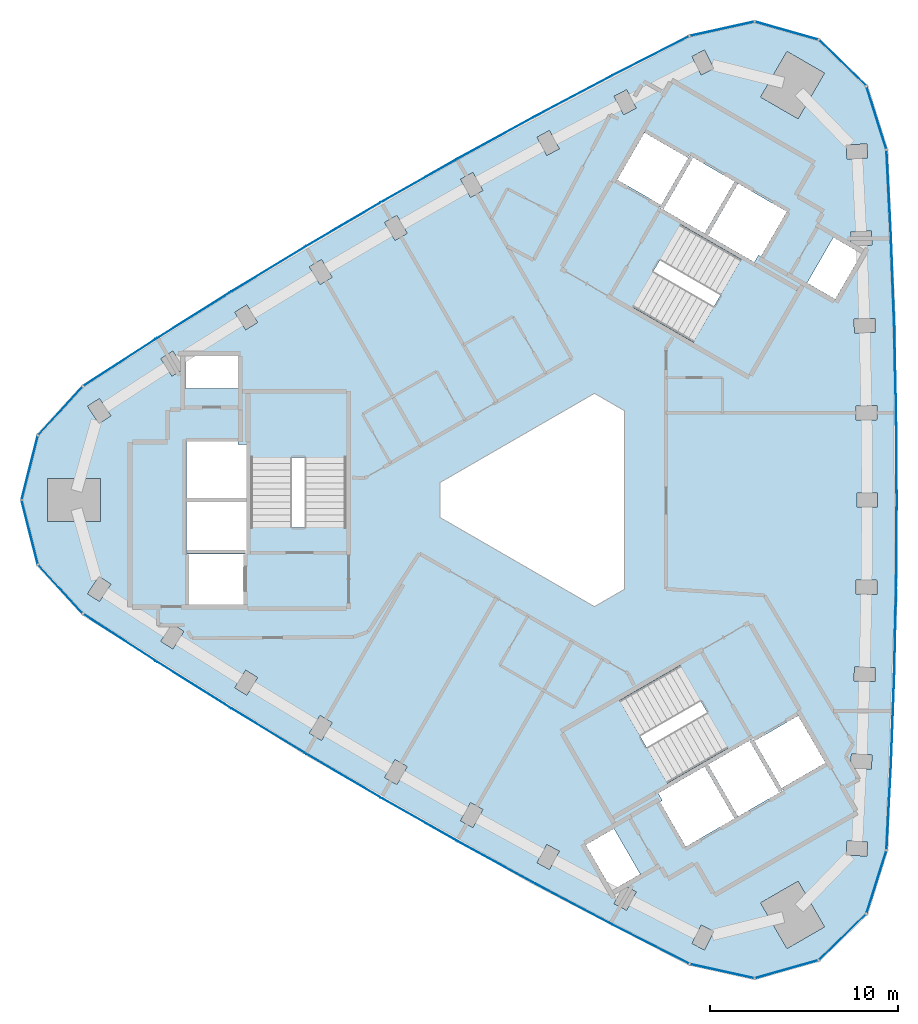
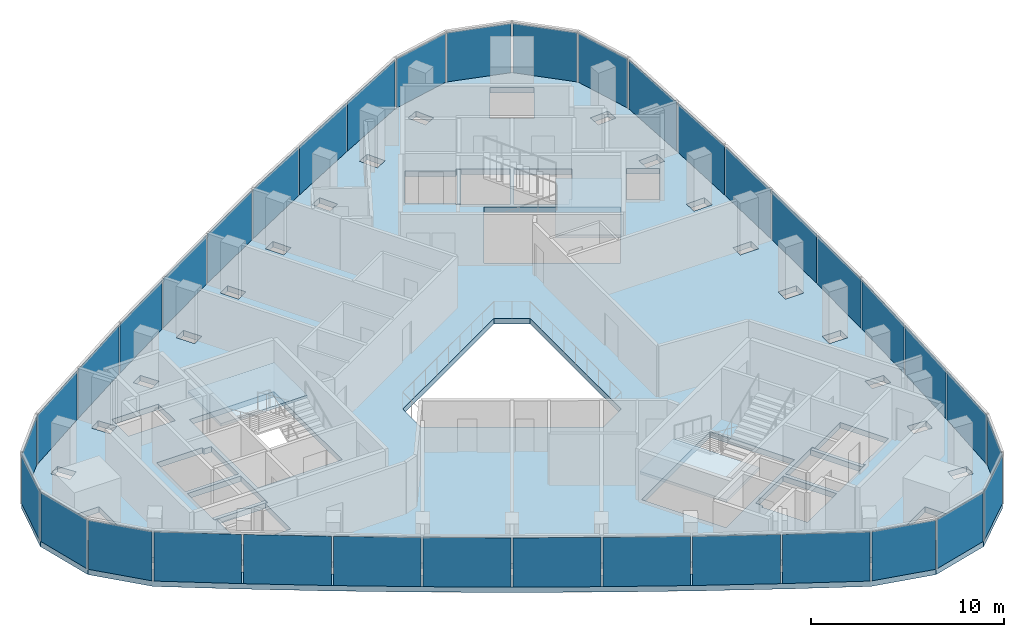
# One storey, part 6 of 11: 36 plates, 4 slabs, 6 elements without a shape of their own.
"""IFC4 building model written with IfcOpenShell, lengths in metres."""

from ifc_helpers import new_model, si_unit, direction, frame, origin, origin_2d, place, context, subcontext, project, spatial, polyline, rectangle, outline, extrude, material, layer, layer_set, type_object, element, aggregate, save


model = new_model("IFC4")

# Units and contexts
model_context = context("Model", 3, precision=1e-05, world=origin(), true_north=direction((0.0, 1.0)))
body_context = subcontext(model_context, "Body", "Model", "MODEL_VIEW")
ifc_project = project(units=[si_unit("LENGTHUNIT", "METRE"), si_unit("AREAUNIT", "SQUARE_METRE"), si_unit("VOLUMEUNIT", "CUBIC_METRE"), si_unit("PLANEANGLEUNIT", "RADIAN"), si_unit("MASSUNIT", "GRAM", prefix="KILO")], contexts=[model_context])

# Site, building, storey
site_placement = place(None, origin())
site = spatial("IfcSite", under=ifc_project, at=site_placement, CompositionType="ELEMENT")
building_placement = place(site_placement, origin())
building = spatial("IfcBuilding", under=site, at=building_placement, Name="Tamra Quay Hotel Tower", CompositionType="ELEMENT")
storey_placement = place(building_placement, frame((0.0, 0.0, 225.0)))
storey = spatial("IfcBuildingStorey", under=building, at=storey_placement, Name="L56", CompositionType="ELEMENT", Elevation=225.0)

# Stair, slab
ifc_material_1 = material(Name="Exit stair 2200 24 risers 150.0 going 342")
stair_type = type_object("IfcStairType", Name="Exit stair 2200 24 risers 150.0 going 342", PredefinedType="HALF_TURN_STAIR", material=ifc_material_1)
stair_1_placement = place(storey_placement, origin())
stair_1 = element("IfcStair", 1, at=stair_1_placement, inside=storey, type_object=stair_type, Name="L56 Exit stair ST3", PredefinedType="HALF_TURN_STAIR")
ifc_material_2 = material(Name="Concrete M70", Category="concrete")
ifc_layer_1 = layer(ifc_material_2, 0.175048828125)
ifc_layer_set_1 = layer_set([ifc_layer_1], Name="Concrete M70 stair landing 180")
slab_type_1 = type_object("IfcSlabType", Name="Concrete M70 stair landing 180", PredefinedType="LANDING", material=ifc_layer_set_1)
slab_1_placement = place(storey_placement, frame((0.0, 0.0, 1.625)))
slab_1 = element("IfcSlab", 2, at=slab_1_placement, type_object=slab_type_1, Name="ST3 landing 1", PredefinedType="LANDING", context=body_context, shape_type="SweptSolid", body=[
    extrude(outline(polyline([(-10.932373046875, 2.261962890625), (-10.932373046875, 5.679931640625), (-16.09130859375, 5.679931640625), (-16.09130859375, 2.261962890625), (-10.932373046875, 2.261962890625)])), origin(), (0.0, 0.0, 1.0), 0.175048828125),
])
aggregate(stair_1, [slab_1])

stair_2_placement = place(storey_placement, origin())
stair_2 = element("IfcStair", 3, at=stair_2_placement, inside=storey, type_object=stair_type, Name="L56 Exit stair ST1", PredefinedType="HALF_TURN_STAIR")
slab_2_placement = place(storey_placement, frame((0.0, 0.0, 1.625)))
slab_2 = element("IfcSlab", 4, at=slab_2_placement, type_object=slab_type_1, Name="ST1 landing 1", PredefinedType="LANDING", context=body_context, shape_type="SweptSolid", body=[
    extrude(outline(polyline([(7.425048828125, 8.336669921875), (10.385009765625, 6.627685546875), (12.964599609375, 11.095458984375), (10.00439453125, 12.804443359375), (7.425048828125, 8.336669921875)])), origin(), (0.0, 0.0, 1.0), 0.175048828125),
])
aggregate(stair_2, [slab_2])

stair_3_placement = place(storey_placement, origin())
stair_3 = element("IfcStair", 5, at=stair_3_placement, inside=storey, type_object=stair_type, Name="L56 Exit stair ST2", PredefinedType="HALF_TURN_STAIR")
slab_3_placement = place(storey_placement, frame((0.0, 0.0, 1.625)))
slab_3 = element("IfcSlab", 6, at=slab_3_placement, type_object=slab_type_1, Name="ST2 landing 1", PredefinedType="LANDING", context=body_context, shape_type="SweptSolid", body=[
    extrude(outline(polyline([(3.50732421875, -10.5986328125), (0.547119140625, -12.3076171875), (3.126708984375, -16.775390625), (6.086669921875, -15.06640625), (3.50732421875, -10.5986328125)])), origin(), (0.0, 0.0, 1.0), 0.175048828125),
])
aggregate(stair_3, [slab_3])

# Slab
ifc_material_3 = material(Name="Concrete M60", Category="concrete")
ifc_layer_2 = layer(ifc_material_3, 0.35009765625)
ifc_layer_set_2 = layer_set([ifc_layer_2], Name="FLOOR SLAB PT 350")
slab_type_2 = type_object("IfcSlabType", Name="FLOOR SLAB PT 350", PredefinedType="FLOOR", material=ifc_layer_set_2)
slab_4_placement = place(storey_placement, frame((0.0, 0.0, -0.35009765625)))
element("IfcSlab", 7, at=slab_4_placement, inside=storey, type_object=slab_type_2, Name="SLAB-L56", PredefinedType="FLOOR", context=body_context, shape_type="SweptSolid", body=[
    extrude(outline(polyline([(17.935791015625, 13.94091796875), (18.106689453125, 9.29541015625), (18.208984375, 4.648681640625), (18.243408203125, 0.0), (18.208984375, -4.648681640625), (18.106689453125, -9.29541015625), (17.935791015625, -13.94091796875), (17.69677734375, -18.5830078125), (16.633056640625, -21.9541015625), (14.09716796875, -24.4169921875), (10.6962890625, -25.3818359375), (7.244873046875, -24.617431640625), (3.105224609375, -22.50341796875), (-1.00341796875, -20.328369140625), (-5.078857421875, -18.093994140625), (-9.12158203125, -15.79931640625), (-13.13037109375, -13.4453125), (-17.103271484375, -11.033203125), (-21.041015625, -8.5625), (-24.941650390625, -6.034423828125), (-27.329345703125, -3.427490234375), (-28.1943359375, 0.0), (-27.329345703125, 3.427490234375), (-24.941650390625, 6.034423828125), (-21.041015625, 8.5625), (-17.103271484375, 11.033203125), (-13.13037109375, 13.4453125), (-9.12158203125, 15.79931640625), (-5.078857421875, 18.093994140625), (-1.00341796875, 20.328369140625), (3.105224609375, 22.50341796875), (7.244873046875, 24.617431640625), (10.6962890625, 25.3818359375), (14.09716796875, 24.4169921875), (16.633056640625, 21.9541015625), (17.69677734375, 18.5830078125), (17.935791015625, 13.94091796875)]), holes=[polyline([(-8.9345703125, -14.724853515625), (-8.284912109375, -15.099853515625), (-7.73486328125, -14.147216796875), (-8.384521484375, -13.772216796875), (-8.9345703125, -14.724853515625)]), polyline([(-12.927001953125, -12.373779296875), (-12.283203125, -12.758544921875), (-11.718994140625, -11.814208984375), (-12.36279296875, -11.4296875), (-12.927001953125, -12.373779296875)]), polyline([(-16.885009765625, -9.964599609375), (-16.24658203125, -10.3583984375), (-15.669189453125, -9.422119140625), (-16.3076171875, -9.0283203125), (-16.885009765625, -9.964599609375)]), polyline([(-20.21533203125, -6.56982421875), (-20.806640625, -7.497314453125), (-20.17431640625, -7.900634765625), (-19.5830078125, -6.972900390625), (-20.21533203125, -6.56982421875)]), polyline([(-24.08740234375, -4.05419921875), (-24.69189453125, -4.972900390625), (-24.0654296875, -5.38525390625), (-23.460693359375, -4.46630859375), (-24.08740234375, -4.05419921875)]), polyline([(-19.4072265625, -2.85498046875), (-19.4072265625, -2.89306640625), (-19.307373046875, -2.89306640625), (-19.307373046875, -5.544921875), (-16.417236328125, -5.544921875), (-16.417236328125, -2.89306640625), (-16.3173828125, -2.89306640625), (-16.3173828125, -2.85498046875), (-19.4072265625, -2.85498046875)]), polyline([(-19.417236328125, -2.89306640625), (-19.417236328125, -2.64501953125), (-16.307373046875, -2.64501953125), (-16.307373046875, -2.89306640625), (-16.26708984375, -2.89306640625), (-16.26708984375, -0.10498046875), (-19.45751953125, -0.10498046875), (-19.45751953125, -2.89306640625), (-19.417236328125, -2.89306640625)]), polyline([(-24.0205078125, 1.14990234375), (-26.8203125, 1.14990234375), (-26.8203125, -1.14990234375), (-24.0205078125, -1.14990234375), (-24.0205078125, 1.14990234375)]), polyline([(-16.707275390625, 2.945068359375), (-16.707275390625, 3.09521484375), (-19.45751953125, 3.09521484375), (-19.45751953125, 0.10498046875), (-16.26708984375, 0.10498046875), (-16.26708984375, 2.945068359375), (-16.707275390625, 2.945068359375)]), polyline([(-16.036376953125, -1.455078125), (-10.9873046875, -1.455078125), (-10.9873046875, 5.625), (-16.036376953125, 5.625), (-16.036376953125, -1.455078125)]), polyline([(-23.460693359375, 4.46630859375), (-24.0654296875, 5.38525390625), (-24.69189453125, 4.972900390625), (-24.08740234375, 4.05419921875), (-23.460693359375, 4.46630859375)]), polyline([(-19.50732421875, 7.64501953125), (-19.50732421875, 5.9150390625), (-16.71728515625, 5.9150390625), (-16.71728515625, 7.64501953125), (-19.50732421875, 7.64501953125)]), polyline([(-19.5830078125, 6.972900390625), (-20.17431640625, 7.900634765625), (-20.806640625, 7.497314453125), (-20.21533203125, 6.56982421875), (-19.5830078125, 6.972900390625)]), polyline([(-15.669189453125, 9.422119140625), (-16.24658203125, 10.3583984375), (-16.885009765625, 9.964599609375), (-16.3076171875, 9.0283203125), (-15.669189453125, 9.422119140625)]), polyline([(-12.283203125, 12.758544921875), (-12.927001953125, 12.373779296875), (-12.36279296875, 11.4296875), (-11.718994140625, 11.814208984375), (-12.283203125, 12.758544921875)]), polyline([(-7.73486328125, 14.147216796875), (-8.284912109375, 15.099853515625), (-8.9345703125, 14.724853515625), (-8.384521484375, 13.772216796875), (-7.73486328125, 14.147216796875)]), polyline([(7.8623046875, -22.55078125), (7.368896484375, -23.533935546875), (8.039306640625, -23.870361328125), (8.53271484375, -22.88720703125), (7.8623046875, -22.55078125)]), polyline([(3.2451171875, -21.421875), (3.910400390625, -21.767822265625), (4.41796875, -20.7919921875), (3.752685546875, -20.44580078125), (3.2451171875, -21.421875)]), polyline([(1.73779296875, -18.300048828125), (3.1328125, -20.71630859375), (4.631103515625, -19.851318359375), (3.236083984375, -17.43505859375), (1.73779296875, -18.300048828125)]), polyline([(-0.3251953125, -18.281005859375), (-0.847412109375, -19.2490234375), (-0.187255859375, -19.60498046875), (0.334716796875, -18.636962890625), (-0.3251953125, -18.281005859375)]), polyline([(-4.90771484375, -17.016845703125), (-4.252685546875, -17.382080078125), (-3.716796875, -16.42138671875), (-4.3720703125, -16.05615234375), (-4.90771484375, -17.016845703125)]), polyline([(5.5830078125, -15.560302734375), (5.80322265625, -15.94140625), (5.673095703125, -16.0166015625), (7.04833984375, -18.398193359375), (9.6376953125, -16.903076171875), (8.042724609375, -14.14013671875), (5.5830078125, -15.560302734375)]), polyline([(12.214111328125, -15.369384765625), (11.999267578125, -15.493408203125), (10.4443359375, -12.800048828125), (10.6591796875, -12.676025390625), (10.63916015625, -12.64111328125), (8.224609375, -14.03515625), (9.819580078125, -16.798095703125), (12.234130859375, -15.404052734375), (12.214111328125, -15.369384765625)]), polyline([(6.75390625, -8.78759765625), (0.622314453125, -12.32763671875), (3.146728515625, -16.7001953125), (9.2783203125, -13.160400390625), (6.75390625, -8.78759765625)]), polyline([(-6.0, 0.923828125), (-6.0, -0.923828125), (2.199951171875, -5.657958984375), (3.800048828125, -4.734375), (3.800048828125, 4.734375), (2.199951171875, 5.657958984375), (-6.0, 0.923828125)]), polyline([(4.2333984375, 10.242919921875), (10.364990234375, 6.702880859375), (12.889404296875, 11.075439453125), (6.758056640625, 14.615478515625), (4.2333984375, 10.242919921875)]), polyline([(7.203125, 18.262451171875), (7.41796875, 18.138427734375), (5.863037109375, 15.445068359375), (5.648193359375, 15.569091796875), (5.628173828125, 15.5341796875), (8.04248046875, 14.140380859375), (9.6376953125, 16.903076171875), (7.22314453125, 18.297119140625), (7.203125, 18.262451171875)]), polyline([(-3.716796875, 16.42138671875), (-4.252685546875, 17.382080078125), (-4.90771484375, 17.016845703125), (-4.3720703125, 16.05615234375), (-3.716796875, 16.42138671875)]), polyline([(7.231201171875, 18.234619140625), (7.1982421875, 18.253662109375), (7.148193359375, 18.1669921875), (4.8515625, 19.4931640625), (3.406494140625, 16.990234375), (5.703125, 15.664306640625), (5.6533203125, 15.57763671875), (5.68603515625, 15.55859375), (7.231201171875, 18.234619140625)]), polyline([(0.334716796875, 18.636962890625), (-0.187255859375, 19.60498046875), (-0.847412109375, 19.2490234375), (-0.3251953125, 18.281005859375), (0.334716796875, 18.636962890625)]), polyline([(4.41796875, 20.7919921875), (3.910400390625, 21.767822265625), (3.2451171875, 21.421875), (3.752685546875, 20.44580078125), (4.41796875, 20.7919921875)]), polyline([(8.039306640625, 23.870361328125), (7.368896484375, 23.533935546875), (7.8623046875, 22.55078125), (8.53271484375, 22.88720703125), (8.039306640625, 23.870361328125)]), polyline([(11.014404296875, -21.377197265625), (12.414306640625, -23.802001953125), (14.406005859375, -22.652099609375), (13.006103515625, -20.227294921875), (11.014404296875, -21.377197265625)]), polyline([(15.554443359375, -18.8330078125), (16.652587890625, -18.8974609375), (16.696533203125, -18.148681640625), (15.598388671875, -18.08447265625), (15.554443359375, -18.8330078125)]), polyline([(16.896240234375, -14.2705078125), (16.92919921875, -13.52099609375), (15.830322265625, -13.472900390625), (15.79736328125, -14.22216796875), (16.896240234375, -14.2705078125)]), polyline([(10.631103515625, -12.70361328125), (12.176025390625, -15.379638671875), (12.208984375, -15.360595703125), (12.1591796875, -15.274169921875), (14.455810546875, -13.947998046875), (13.0107421875, -11.4453125), (10.714111328125, -12.771240234375), (10.6640625, -12.6845703125), (10.631103515625, -12.70361328125)]), polyline([(15.97265625, -9.6083984375), (17.072265625, -9.640380859375), (17.093994140625, -8.890625), (15.994384765625, -8.85888671875), (15.97265625, -9.6083984375)]), polyline([(17.1796875, -5.00830078125), (17.19091796875, -4.25830078125), (16.091064453125, -4.24169921875), (16.079833984375, -4.99169921875), (17.1796875, -5.00830078125)]), polyline([(16.119384765625, -0.375), (17.219482421875, -0.375), (17.219482421875, 0.375), (16.119384765625, 0.375), (16.119384765625, -0.375)]), polyline([(16.091064453125, 4.24169921875), (17.19091796875, 4.25830078125), (17.1796875, 5.00830078125), (16.079833984375, 4.99169921875), (16.091064453125, 4.24169921875)]), polyline([(17.093994140625, 8.890625), (17.072265625, 9.640380859375), (15.97265625, 9.6083984375), (15.994384765625, 8.85888671875), (17.093994140625, 8.890625)]), polyline([(14.9794921875, 10.655029296875), (16.37451171875, 13.0712890625), (14.876220703125, 13.936279296875), (13.481201171875, 11.52001953125), (14.9794921875, 10.655029296875)]), polyline([(15.830322265625, 13.472900390625), (16.92919921875, 13.52099609375), (16.896240234375, 14.2705078125), (15.79736328125, 14.22216796875), (15.830322265625, 13.472900390625)]), polyline([(10.904052734375, 12.996337890625), (11.0341796875, 12.92138671875), (12.4091796875, 15.302978515625), (9.819580078125, 16.798095703125), (8.224365234375, 14.035400390625), (10.68408203125, 12.615234375), (10.904052734375, 12.996337890625)]), polyline([(15.598388671875, 18.08447265625), (16.696533203125, 18.148681640625), (16.652587890625, 18.8974609375), (15.554443359375, 18.8330078125), (15.598388671875, 18.08447265625)]), polyline([(13.006103515625, 20.227294921875), (14.406005859375, 22.652099609375), (12.414306640625, 23.802001953125), (11.014404296875, 21.377197265625), (13.006103515625, 20.227294921875)])]), origin(), (0.0, 0.0, 1.0), 0.35009765625),
])

# Curtain wall, plates
ifc_material_4 = material(Name="Aluminium 6063 anodised dark grey", Category="aluminium")
curtain_wall_type_1 = type_object("IfcCurtainWallType", Name="CW1 CURTAIN WALL", PredefinedType="NOTDEFINED", material=ifc_material_4)
curtain_wall_1_placement = place(storey_placement, origin())
curtain_wall_1 = element("IfcCurtainWall", 8, at=curtain_wall_1_placement, inside=storey, type_object=curtain_wall_type_1, Name="CW1 east face L56", PredefinedType="NOTDEFINED")
ifc_material_5 = material(Name="Glass clear laminated low-iron", Category="glass")
ifc_layer_3 = layer(ifc_material_5, 0.028076171875)
ifc_layer_set_3 = layer_set([ifc_layer_3], Name="GLASS PANEL CW1 Z5")
plate_type_1 = type_object("IfcPlateType", Name="GLASS PANEL CW1 Z5", PredefinedType="CURTAIN_PANEL", material=ifc_layer_set_3)
plate_1_placement = place(storey_placement, frame((17.81640625, -16.261962890625, 0.0), z_axis=(0.0, 0.0, 1.0), x_axis=(0.051403368539, 0.998677972974, 0.0)))
plate_1 = element("IfcPlate", 9, at=plate_1_placement, type_object=plate_type_1, Name="CW1 glass L56.E.1", PredefinedType="CURTAIN_PANEL", context=body_context, shape_type="SweptSolid", body=[
    extrude(rectangle(XDim=4.54833984375, YDim=0.028076171875, at=origin_2d()), origin(), (0.0, 0.0, 1.0), 3.110107421875),
])
plate_2_placement = place(storey_placement, frame((18.021240234375, -11.617919921875, 0.0), z_axis=(0.0, 0.0, 1.0), x_axis=(0.036744655796, 0.999324687111, 0.0)))
plate_2 = element("IfcPlate", 10, at=plate_2_placement, type_object=plate_type_1, Name="CW1 glass L56.E.2", PredefinedType="CURTAIN_PANEL", context=body_context, shape_type="SweptSolid", body=[
    extrude(rectangle(XDim=4.548583984375, YDim=0.028076171875, at=origin_2d()), origin(), (0.0, 0.0, 1.0), 3.110107421875),
])
plate_3_placement = place(storey_placement, frame((18.157958984375, -6.971923828125, 0.0), z_axis=(0.0, 0.0, 1.0), x_axis=(0.022062883967, 0.99975658495, 0.0)))
plate_3 = element("IfcPlate", 11, at=plate_3_placement, type_object=plate_type_1, Name="CW1 glass L56.E.3", PredefinedType="CURTAIN_PANEL", context=body_context, shape_type="SweptSolid", body=[
    extrude(rectangle(XDim=4.5478515625, YDim=0.028076171875, at=origin_2d()), origin(), (0.0, 0.0, 1.0), 3.110107421875),
])
plate_4_placement = place(storey_placement, frame((18.226318359375, -2.32421875, 0.0), z_axis=(0.0, 0.0, 1.0), x_axis=(0.007361813182, 0.999972901486, 0.0)))
plate_4 = element("IfcPlate", 12, at=plate_4_placement, type_object=plate_type_1, Name="CW1 glass L56.E.4", PredefinedType="CURTAIN_PANEL", context=body_context, shape_type="SweptSolid", body=[
    extrude(rectangle(XDim=4.548828125, YDim=0.028076171875, at=origin_2d()), origin(), (0.0, 0.0, 1.0), 3.110107421875),
])
plate_5_placement = place(storey_placement, frame((18.226318359375, 2.32421875, 0.0), z_axis=(0.0, 0.0, 1.0), x_axis=(-0.007361813182, 0.999972901486, 0.0)))
plate_5 = element("IfcPlate", 13, at=plate_5_placement, type_object=plate_type_1, Name="CW1 glass L56.E.5", PredefinedType="CURTAIN_PANEL", context=body_context, shape_type="SweptSolid", body=[
    extrude(rectangle(XDim=4.548828125, YDim=0.028076171875, at=origin_2d()), origin(), (0.0, 0.0, 1.0), 3.110107421875),
])
plate_6_placement = place(storey_placement, frame((18.157958984375, 6.971923828125, 0.0), z_axis=(0.0, 0.0, 1.0), x_axis=(-0.022062883967, 0.99975658495, 0.0)))
plate_6 = element("IfcPlate", 14, at=plate_6_placement, type_object=plate_type_1, Name="CW1 glass L56.E.6", PredefinedType="CURTAIN_PANEL", context=body_context, shape_type="SweptSolid", body=[
    extrude(rectangle(XDim=4.5478515625, YDim=0.028076171875, at=origin_2d()), origin(), (0.0, 0.0, 1.0), 3.110107421875),
])
plate_7_placement = place(storey_placement, frame((18.021240234375, 11.617919921875, 0.0), z_axis=(0.0, 0.0, 1.0), x_axis=(-0.036744655796, 0.999324687111, 0.0)))
plate_7 = element("IfcPlate", 15, at=plate_7_placement, type_object=plate_type_1, Name="CW1 glass L56.E.7", PredefinedType="CURTAIN_PANEL", context=body_context, shape_type="SweptSolid", body=[
    extrude(rectangle(XDim=4.548583984375, YDim=0.028076171875, at=origin_2d()), origin(), (0.0, 0.0, 1.0), 3.110107421875),
])
plate_8_placement = place(storey_placement, frame((17.81640625, 16.261962890625, 0.0), z_axis=(0.0, 0.0, 1.0), x_axis=(-0.051403368539, 0.998677972974, 0.0)))
plate_8 = element("IfcPlate", 16, at=plate_8_placement, type_object=plate_type_1, Name="CW1 glass L56.E.8", PredefinedType="CURTAIN_PANEL", context=body_context, shape_type="SweptSolid", body=[
    extrude(rectangle(XDim=4.54833984375, YDim=0.028076171875, at=origin_2d()), origin(), (0.0, 0.0, 1.0), 3.110107421875),
])
plate_9_placement = place(storey_placement, frame((17.1650390625, 20.2685546875, 0.0), z_axis=(0.0, 0.0, 1.0), x_axis=(-0.30090299279, 0.95365475353, 0.0)))
plate_9 = element("IfcPlate", 17, at=plate_9_placement, type_object=plate_type_1, Name="CW1 glass L56.E.9", PredefinedType="CURTAIN_PANEL", context=body_context, shape_type="SweptSolid", body=[
    extrude(rectangle(XDim=3.43505859375, YDim=0.028076171875, at=origin_2d()), origin(), (0.0, 0.0, 1.0), 3.110107421875),
])
plate_10_placement = place(storey_placement, frame((15.365234375, 23.185546875, 0.0), z_axis=(0.0, 0.0, 1.0), x_axis=(-0.717364100925, 0.696698461821, 0.0)))
plate_10 = element("IfcPlate", 18, at=plate_10_placement, type_object=plate_type_1, Name="CW1 glass L56.E.10", PredefinedType="CURTAIN_PANEL", context=body_context, shape_type="SweptSolid", body=[
    extrude(rectangle(XDim=3.43505859375, YDim=0.028076171875, at=origin_2d()), origin(), (0.0, 0.0, 1.0), 3.110107421875),
])
plate_11_placement = place(storey_placement, frame((12.396728515625, 24.8994140625, 0.0), z_axis=(0.0, 0.0, 1.0), x_axis=(-0.962040617177, 0.272906304254, 0.0)))
plate_11 = element("IfcPlate", 19, at=plate_11_placement, type_object=plate_type_1, Name="CW1 glass L56.E.11", PredefinedType="CURTAIN_PANEL", context=body_context, shape_type="SweptSolid", body=[
    extrude(rectangle(XDim=3.43505859375, YDim=0.028076171875, at=origin_2d()), origin(), (0.0, 0.0, 1.0), 3.110107421875),
])
plate_12_placement = place(storey_placement, frame((8.970458984375, 24.99951171875, 0.0), z_axis=(0.0, 0.0, 1.0), x_axis=(-0.976340739392, -0.216237740934, 0.0)))
plate_12 = element("IfcPlate", 20, at=plate_12_placement, type_object=plate_type_1, Name="CW1 glass L56.E.12", PredefinedType="CURTAIN_PANEL", context=body_context, shape_type="SweptSolid", body=[
    extrude(rectangle(XDim=3.43505859375, YDim=0.028076171875, at=origin_2d()), origin(), (0.0, 0.0, 1.0), 3.110107421875),
])
aggregate(curtain_wall_1, [plate_1, plate_2, plate_3, plate_4, plate_5, plate_6, plate_7, plate_8, plate_9, plate_10, plate_11, plate_12])

curtain_wall_type_2 = type_object("IfcCurtainWallType", Name="CW2 CURTAIN WALL", PredefinedType="NOTDEFINED", material=ifc_material_4)
curtain_wall_2_placement = place(storey_placement, origin())
curtain_wall_2 = element("IfcCurtainWall", 21, at=curtain_wall_2_placement, inside=storey, type_object=curtain_wall_type_2, Name="CW2 north-west face L56", PredefinedType="NOTDEFINED")
ifc_layer_4 = layer(ifc_material_5, 0.028076171875)
ifc_layer_set_4 = layer_set([ifc_layer_4], Name="GLASS PANEL CW2 Z5")
plate_type_2 = type_object("IfcPlateType", Name="GLASS PANEL CW2 Z5", PredefinedType="CURTAIN_PANEL", material=ifc_layer_set_4)
plate_13_placement = place(storey_placement, frame((5.175048828125, 23.560302734375, 0.0), z_axis=(0.0, 0.0, 1.0), x_axis=(-0.890582179064, -0.454822363492, 0.0)))
plate_13 = element("IfcPlate", 22, at=plate_13_placement, type_object=plate_type_2, Name="CW2 glass L56.NW.1", PredefinedType="CURTAIN_PANEL", context=body_context, shape_type="SweptSolid", body=[
    extrude(rectangle(XDim=4.54833984375, YDim=0.028076171875, at=origin_2d()), origin(), (0.0, 0.0, 1.0), 3.110107421875),
])
plate_14_placement = place(storey_placement, frame((1.051025390625, 21.415771484375, 0.0), z_axis=(0.0, 0.0, 1.0), x_axis=(-0.883812893566, -0.467840538183, 0.0)))
plate_14 = element("IfcPlate", 23, at=plate_14_placement, type_object=plate_type_2, Name="CW2 glass L56.NW.2", PredefinedType="CURTAIN_PANEL", context=body_context, shape_type="SweptSolid", body=[
    extrude(rectangle(XDim=4.548583984375, YDim=0.028076171875, at=origin_2d()), origin(), (0.0, 0.0, 1.0), 3.110107421875),
])
plate_15_placement = place(storey_placement, frame((-3.041015625, 19.211181640625, 0.0), z_axis=(0.0, 0.0, 1.0), x_axis=(-0.876846042151, -0.480771274479, 0.0)))
plate_15 = element("IfcPlate", 24, at=plate_15_placement, type_object=plate_type_2, Name="CW2 glass L56.NW.3", PredefinedType="CURTAIN_PANEL", context=body_context, shape_type="SweptSolid", body=[
    extrude(rectangle(XDim=4.5478515625, YDim=0.028076171875, at=origin_2d()), origin(), (0.0, 0.0, 1.0), 3.110107421875),
])
plate_16_placement = place(storey_placement, frame((-7.100341796875, 16.946533203125, 0.0), z_axis=(0.0, 0.0, 1.0), x_axis=(-0.869682842374, -0.493610933509, 0.0)))
plate_16 = element("IfcPlate", 25, at=plate_16_placement, type_object=plate_type_2, Name="CW2 glass L56.NW.4", PredefinedType="CURTAIN_PANEL", context=body_context, shape_type="SweptSolid", body=[
    extrude(rectangle(XDim=4.548828125, YDim=0.028076171875, at=origin_2d()), origin(), (0.0, 0.0, 1.0), 3.110107421875),
])
plate_17_placement = place(storey_placement, frame((-11.1259765625, 14.622314453125, 0.0), z_axis=(0.0, 0.0, 1.0), x_axis=(-0.862321029192, -0.506361967977, 0.0)))
plate_17 = element("IfcPlate", 26, at=plate_17_placement, type_object=plate_type_2, Name="CW2 glass L56.NW.5", PredefinedType="CURTAIN_PANEL", context=body_context, shape_type="SweptSolid", body=[
    extrude(rectangle(XDim=4.548828125, YDim=0.028076171875, at=origin_2d()), origin(), (0.0, 0.0, 1.0), 3.110107421875),
])
plate_18_placement = place(storey_placement, frame((-15.11669921875, 12.2392578125, 0.0), z_axis=(0.0, 0.0, 1.0), x_axis=(-0.854783158184, -0.518985310471, 0.0)))
plate_18 = element("IfcPlate", 27, at=plate_18_placement, type_object=plate_type_2, Name="CW2 glass L56.NW.6", PredefinedType="CURTAIN_PANEL", context=body_context, shape_type="SweptSolid", body=[
    extrude(rectangle(XDim=4.5478515625, YDim=0.028076171875, at=origin_2d()), origin(), (0.0, 0.0, 1.0), 3.110107421875),
])
plate_19_placement = place(storey_placement, frame((-19.072021484375, 9.7978515625, 0.0), z_axis=(0.0, 0.0, 1.0), x_axis=(-0.847068237769, -0.531484148929, 0.0)))
plate_19 = element("IfcPlate", 28, at=plate_19_placement, type_object=plate_type_2, Name="CW2 glass L56.NW.7", PredefinedType="CURTAIN_PANEL", context=body_context, shape_type="SweptSolid", body=[
    extrude(rectangle(XDim=4.548583984375, YDim=0.028076171875, at=origin_2d()), origin(), (0.0, 0.0, 1.0), 3.110107421875),
])
plate_20_placement = place(storey_placement, frame((-22.991455078125, 7.29833984375, 0.0), z_axis=(0.0, 0.0, 1.0), x_axis=(-0.839178810526, -0.543855609481, 0.0)))
plate_20 = element("IfcPlate", 29, at=plate_20_placement, type_object=plate_type_2, Name="CW2 glass L56.NW.8", PredefinedType="CURTAIN_PANEL", context=body_context, shape_type="SweptSolid", body=[
    extrude(rectangle(XDim=4.54833984375, YDim=0.028076171875, at=origin_2d()), origin(), (0.0, 0.0, 1.0), 3.110107421875),
])
plate_21_placement = place(storey_placement, frame((-26.135498046875, 4.73095703125, 0.0), z_axis=(0.0, 0.0, 1.0), x_axis=(-0.675437746601, -0.737417012596, 0.0)))
plate_21 = element("IfcPlate", 30, at=plate_21_placement, type_object=plate_type_2, Name="CW2 glass L56.NW.9", PredefinedType="CURTAIN_PANEL", context=body_context, shape_type="SweptSolid", body=[
    extrude(rectangle(XDim=3.43505859375, YDim=0.028076171875, at=origin_2d()), origin(), (0.0, 0.0, 1.0), 3.110107421875),
])
plate_22_placement = place(storey_placement, frame((-27.761962890625, 1.7138671875, 0.0), z_axis=(0.0, 0.0, 1.0), x_axis=(-0.244676516252, -0.969604766075, 0.0)))
plate_22 = element("IfcPlate", 31, at=plate_22_placement, type_object=plate_type_2, Name="CW2 glass L56.NW.10", PredefinedType="CURTAIN_PANEL", context=body_context, shape_type="SweptSolid", body=[
    extrude(rectangle(XDim=3.43505859375, YDim=0.028076171875, at=origin_2d()), origin(), (0.0, 0.0, 1.0), 3.110107421875),
])
plate_23_placement = place(storey_placement, frame((-27.761962890625, -1.7138671875, 0.0), z_axis=(0.0, 0.0, 1.0), x_axis=(0.244676516252, -0.969604766075, 0.0)))
plate_23 = element("IfcPlate", 32, at=plate_23_placement, type_object=plate_type_2, Name="CW2 glass L56.NW.11", PredefinedType="CURTAIN_PANEL", context=body_context, shape_type="SweptSolid", body=[
    extrude(rectangle(XDim=3.43505859375, YDim=0.028076171875, at=origin_2d()), origin(), (0.0, 0.0, 1.0), 3.110107421875),
])
plate_24_placement = place(storey_placement, frame((-26.135498046875, -4.73095703125, 0.0), z_axis=(0.0, 0.0, 1.0), x_axis=(0.675437746601, -0.737417012596, 0.0)))
plate_24 = element("IfcPlate", 33, at=plate_24_placement, type_object=plate_type_2, Name="CW2 glass L56.NW.12", PredefinedType="CURTAIN_PANEL", context=body_context, shape_type="SweptSolid", body=[
    extrude(rectangle(XDim=3.43505859375, YDim=0.028076171875, at=origin_2d()), origin(), (0.0, 0.0, 1.0), 3.110107421875),
])
aggregate(curtain_wall_2, [plate_13, plate_14, plate_15, plate_16, plate_17, plate_18, plate_19, plate_20, plate_21, plate_22, plate_23, plate_24])

curtain_wall_type_3 = type_object("IfcCurtainWallType", Name="CW3 CURTAIN WALL", PredefinedType="NOTDEFINED", material=ifc_material_4)
curtain_wall_3_placement = place(storey_placement, origin())
curtain_wall_3 = element("IfcCurtainWall", 34, at=curtain_wall_3_placement, inside=storey, type_object=curtain_wall_type_3, Name="CW3 south-west face L56", PredefinedType="NOTDEFINED")
ifc_layer_5 = layer(ifc_material_5, 0.028076171875)
ifc_layer_set_5 = layer_set([ifc_layer_5], Name="GLASS PANEL CW3 Z5")
plate_type_3 = type_object("IfcPlateType", Name="GLASS PANEL CW3 Z5", PredefinedType="CURTAIN_PANEL", material=ifc_layer_set_5)
plate_25_placement = place(storey_placement, frame((-22.991455078125, -7.29833984375, 0.0), z_axis=(0.0, 0.0, 1.0), x_axis=(0.839178810526, -0.543855609481, 0.0)))
plate_25 = element("IfcPlate", 35, at=plate_25_placement, type_object=plate_type_3, Name="CW3 glass L56.SW.1", PredefinedType="CURTAIN_PANEL", context=body_context, shape_type="SweptSolid", body=[
    extrude(rectangle(XDim=4.54833984375, YDim=0.028076171875, at=origin_2d()), origin(), (0.0, 0.0, 1.0), 3.110107421875),
])
plate_26_placement = place(storey_placement, frame((-19.072021484375, -9.7978515625, 0.0), z_axis=(0.0, 0.0, 1.0), x_axis=(0.847068237769, -0.531484148929, 0.0)))
plate_26 = element("IfcPlate", 36, at=plate_26_placement, type_object=plate_type_3, Name="CW3 glass L56.SW.2", PredefinedType="CURTAIN_PANEL", context=body_context, shape_type="SweptSolid", body=[
    extrude(rectangle(XDim=4.548583984375, YDim=0.028076171875, at=origin_2d()), origin(), (0.0, 0.0, 1.0), 3.110107421875),
])
plate_27_placement = place(storey_placement, frame((-15.11669921875, -12.2392578125, 0.0), z_axis=(0.0, 0.0, 1.0), x_axis=(0.854783158184, -0.518985310471, 0.0)))
plate_27 = element("IfcPlate", 37, at=plate_27_placement, type_object=plate_type_3, Name="CW3 glass L56.SW.3", PredefinedType="CURTAIN_PANEL", context=body_context, shape_type="SweptSolid", body=[
    extrude(rectangle(XDim=4.5478515625, YDim=0.028076171875, at=origin_2d()), origin(), (0.0, 0.0, 1.0), 3.110107421875),
])
plate_28_placement = place(storey_placement, frame((-11.1259765625, -14.622314453125, 0.0), z_axis=(0.0, 0.0, 1.0), x_axis=(0.862321029192, -0.506361967977, 0.0)))
plate_28 = element("IfcPlate", 38, at=plate_28_placement, type_object=plate_type_3, Name="CW3 glass L56.SW.4", PredefinedType="CURTAIN_PANEL", context=body_context, shape_type="SweptSolid", body=[
    extrude(rectangle(XDim=4.548828125, YDim=0.028076171875, at=origin_2d()), origin(), (0.0, 0.0, 1.0), 3.110107421875),
])
plate_29_placement = place(storey_placement, frame((-7.100341796875, -16.946533203125, 0.0), z_axis=(0.0, 0.0, 1.0), x_axis=(0.869682842374, -0.493610933509, 0.0)))
plate_29 = element("IfcPlate", 39, at=plate_29_placement, type_object=plate_type_3, Name="CW3 glass L56.SW.5", PredefinedType="CURTAIN_PANEL", context=body_context, shape_type="SweptSolid", body=[
    extrude(rectangle(XDim=4.548828125, YDim=0.028076171875, at=origin_2d()), origin(), (0.0, 0.0, 1.0), 3.110107421875),
])
plate_30_placement = place(storey_placement, frame((-3.041015625, -19.211181640625, 0.0), z_axis=(0.0, 0.0, 1.0), x_axis=(0.876846042151, -0.480771274479, 0.0)))
plate_30 = element("IfcPlate", 40, at=plate_30_placement, type_object=plate_type_3, Name="CW3 glass L56.SW.6", PredefinedType="CURTAIN_PANEL", context=body_context, shape_type="SweptSolid", body=[
    extrude(rectangle(XDim=4.5478515625, YDim=0.028076171875, at=origin_2d()), origin(), (0.0, 0.0, 1.0), 3.110107421875),
])
plate_31_placement = place(storey_placement, frame((1.051025390625, -21.415771484375, 0.0), z_axis=(0.0, 0.0, 1.0), x_axis=(0.883812893566, -0.467840538183, 0.0)))
plate_31 = element("IfcPlate", 41, at=plate_31_placement, type_object=plate_type_3, Name="CW3 glass L56.SW.7", PredefinedType="CURTAIN_PANEL", context=body_context, shape_type="SweptSolid", body=[
    extrude(rectangle(XDim=4.548583984375, YDim=0.028076171875, at=origin_2d()), origin(), (0.0, 0.0, 1.0), 3.110107421875),
])
plate_32_placement = place(storey_placement, frame((5.175048828125, -23.560302734375, 0.0), z_axis=(0.0, 0.0, 1.0), x_axis=(0.890582179064, -0.454822363492, 0.0)))
plate_32 = element("IfcPlate", 42, at=plate_32_placement, type_object=plate_type_3, Name="CW3 glass L56.SW.8", PredefinedType="CURTAIN_PANEL", context=body_context, shape_type="SweptSolid", body=[
    extrude(rectangle(XDim=4.54833984375, YDim=0.028076171875, at=origin_2d()), origin(), (0.0, 0.0, 1.0), 3.110107421875),
])
plate_33_placement = place(storey_placement, frame((8.970458984375, -24.99951171875, 0.0), z_axis=(0.0, 0.0, 1.0), x_axis=(0.976340739392, -0.216237740934, 0.0)))
plate_33 = element("IfcPlate", 43, at=plate_33_placement, type_object=plate_type_3, Name="CW3 glass L56.SW.9", PredefinedType="CURTAIN_PANEL", context=body_context, shape_type="SweptSolid", body=[
    extrude(rectangle(XDim=3.43505859375, YDim=0.028076171875, at=origin_2d()), origin(), (0.0, 0.0, 1.0), 3.110107421875),
])
plate_34_placement = place(storey_placement, frame((12.396728515625, -24.8994140625, 0.0), z_axis=(0.0, 0.0, 1.0), x_axis=(0.962040617177, 0.272906304254, 0.0)))
plate_34 = element("IfcPlate", 44, at=plate_34_placement, type_object=plate_type_3, Name="CW3 glass L56.SW.10", PredefinedType="CURTAIN_PANEL", context=body_context, shape_type="SweptSolid", body=[
    extrude(rectangle(XDim=3.43505859375, YDim=0.028076171875, at=origin_2d()), origin(), (0.0, 0.0, 1.0), 3.110107421875),
])
plate_35_placement = place(storey_placement, frame((15.365234375, -23.185546875, 0.0), z_axis=(0.0, 0.0, 1.0), x_axis=(0.717364100925, 0.696698461821, 0.0)))
plate_35 = element("IfcPlate", 45, at=plate_35_placement, type_object=plate_type_3, Name="CW3 glass L56.SW.11", PredefinedType="CURTAIN_PANEL", context=body_context, shape_type="SweptSolid", body=[
    extrude(rectangle(XDim=3.43505859375, YDim=0.028076171875, at=origin_2d()), origin(), (0.0, 0.0, 1.0), 3.110107421875),
])
plate_36_placement = place(storey_placement, frame((17.1650390625, -20.2685546875, 0.0), z_axis=(0.0, 0.0, 1.0), x_axis=(0.30090299279, 0.95365475353, 0.0)))
plate_36 = element("IfcPlate", 46, at=plate_36_placement, type_object=plate_type_3, Name="CW3 glass L56.SW.12", PredefinedType="CURTAIN_PANEL", context=body_context, shape_type="SweptSolid", body=[
    extrude(rectangle(XDim=3.43505859375, YDim=0.028076171875, at=origin_2d()), origin(), (0.0, 0.0, 1.0), 3.110107421875),
])
aggregate(curtain_wall_3, [plate_25, plate_26, plate_27, plate_28, plate_29, plate_30, plate_31, plate_32, plate_33, plate_34, plate_35, plate_36])

save(model, "model.ifc")
